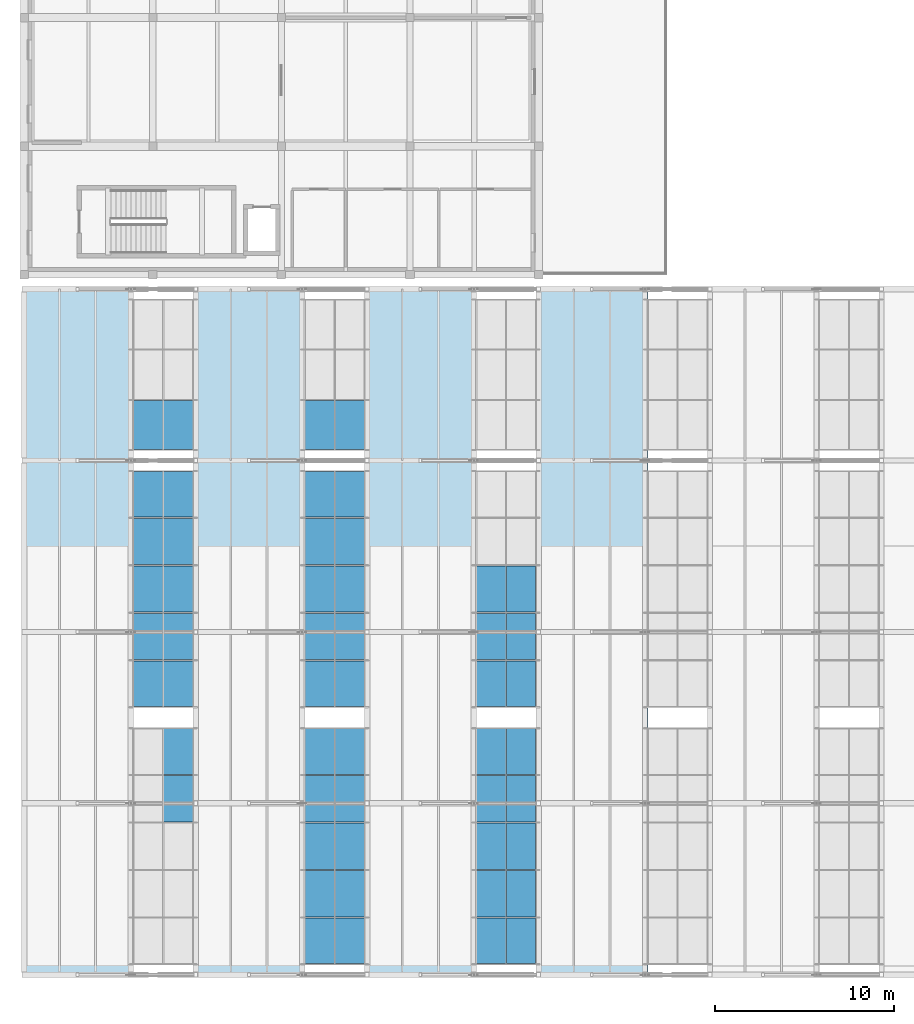
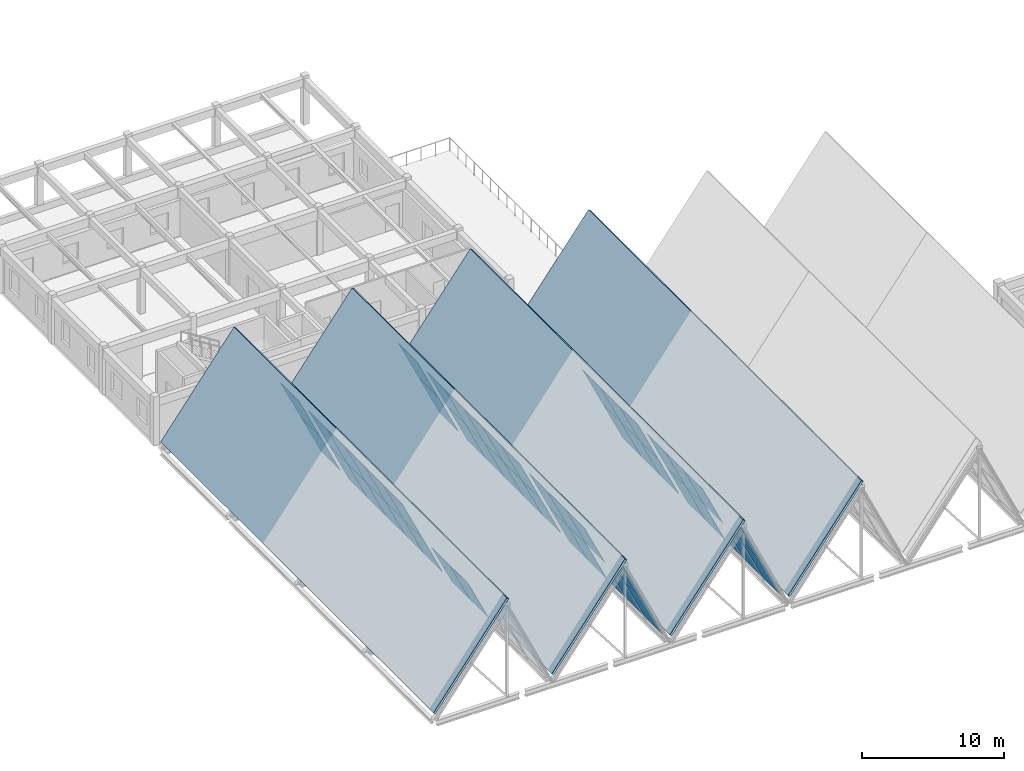
# One storey, part 64 of 99: 52 plates, 4 slabs, 8 elements without a shape of their own.
"""IFC4 building model written with IfcOpenShell, lengths in metres."""

from ifc_helpers import new_model, si_unit, direction, frame, origin, place, context, subcontext, project, spatial, polyline, outline, extrude, material, layer, layer_set, type_object, element, aggregate, save


model = new_model("IFC4")

# Units and contexts
model_context = context("Model", 3, precision=1e-05, world=origin(), true_north=direction((0.0, 1.0)))
body_context = subcontext(model_context, "Body", "Model", "MODEL_VIEW")
ifc_project = project(units=[si_unit("LENGTHUNIT", "METRE"), si_unit("AREAUNIT", "SQUARE_METRE"), si_unit("VOLUMEUNIT", "CUBIC_METRE"), si_unit("PLANEANGLEUNIT", "RADIAN"), si_unit("MASSUNIT", "GRAM", prefix="KILO")], contexts=[model_context])

# Site, building, storey
site_placement = place(None, origin())
site = spatial("IfcSite", under=ifc_project, at=site_placement, CompositionType="ELEMENT")
building_placement = place(site_placement, origin())
building = spatial("IfcBuilding", under=site, at=building_placement, Name="Bramveld Media Centre", CompositionType="ELEMENT")
storey_placement = place(building_placement, frame((0.0, 0.0, 13.800048828125)))
storey = spatial("IfcBuildingStorey", under=building, at=storey_placement, Name="L03", CompositionType="ELEMENT", Elevation=13.800048828125)

# Curtain wall, plates
ifc_material_1 = material(Name="Thermally broken anodized bronze aluminium unitized curtain wall with solar-control triple glazing", Category="aluminium")
curtain_wall_type_1 = type_object("IfcCurtainWallType", Name="CW-SAW-13300x8606", PredefinedType="NOTDEFINED", material=ifc_material_1)
curtain_wall_1_placement = place(storey_placement, origin())
curtain_wall_1 = element("IfcCurtainWall", 1, at=curtain_wall_1_placement, inside=storey, type_object=curtain_wall_type_1, Name="V2 sawtooth north-light clerestory B1-S1", PredefinedType="NOTDEFINED")
ifc_material_2 = material(Name="Solar-control triple insulating safety glass unit", Category="glass")
ifc_layer_1 = layer(ifc_material_2, 0.028076171875)
ifc_layer_set_1 = layer_set([ifc_layer_1], Name="Solar-control triple insulating safety glass unit")
plate_type = type_object("IfcPlateType", Name="CW-PAN-SLP", PredefinedType="CURTAIN_PANEL", material=ifc_layer_set_1)
plate_1_placement = place(storey_placement, frame((9.439697265625, 8.56494140625, 0.322509765625), z_axis=(0.9056675867, 0.0, 0.423988469657), x_axis=(0.0, 1.0, 0.0)))
plate_1 = element("IfcPlate", 2, at=plate_1_placement, type_object=plate_type, Name="CW-SA-13386 glass panel 4.1", PredefinedType="CURTAIN_PANEL", context=body_context, shape_type="SweptSolid", body=[
    extrude(outline(polyline([(0.0, 0.0), (2.590087890625, 0.0), (2.590087890625, 3.876413641227611), (0.0, 3.876413641227611), (0.0, 0.0)])), origin(), (0.0, 0.0, -1.0), 0.028076171875),
])
plate_2_placement = place(storey_placement, frame((9.439697265625, 11.22509765625, 0.322509765625), z_axis=(0.9056675867, 0.0, 0.423988469657), x_axis=(0.0, 1.0, 0.0)))
plate_2 = element("IfcPlate", 3, at=plate_2_placement, type_object=plate_type, Name="CW-SA-13386 glass panel 5.1", PredefinedType="CURTAIN_PANEL", context=body_context, shape_type="SweptSolid", body=[
    extrude(outline(polyline([(0.0, 0.0), (2.554931640625, 0.0), (2.554931640625, 3.8764136412276113), (0.0, 3.8764136412276113), (0.0, 0.0)])), origin(), (0.0, 0.0, -1.0), 0.028076171875),
])
aggregate(curtain_wall_1, [plate_1, plate_2])

curtain_wall_2_placement = place(storey_placement, origin())
curtain_wall_2 = element("IfcCurtainWall", 4, at=curtain_wall_2_placement, inside=storey, type_object=curtain_wall_type_1, Name="V2 sawtooth north-light clerestory B1-S2", PredefinedType="NOTDEFINED")
plate_3_placement = place(storey_placement, frame((9.439697265625, 15.02001953125, 0.322509765625), z_axis=(0.9056675867, 0.0, 0.423988469657), x_axis=(0.0, 1.0, 0.0)))
plate_3 = element("IfcPlate", 5, at=plate_3_placement, type_object=plate_type, Name="CW-SA-13386 glass panel 1.1", PredefinedType="CURTAIN_PANEL", context=body_context, shape_type="SweptSolid", body=[
    extrude(outline(polyline([(0.0, 0.0), (2.554931640625, 0.0), (2.554931640625, 3.8764136412276113), (0.0, 3.8764136412276113), (0.0, 0.0)])), origin(), (0.0, 0.0, -1.0), 0.028076171875),
])
plate_4_placement = place(storey_placement, frame((7.7666015625, 15.02001953125, 3.896728515625), z_axis=(0.9056675867, 0.0, 0.423988469657), x_axis=(0.0, 1.0, 0.0)))
plate_4 = element("IfcPlate", 6, at=plate_4_placement, type_object=plate_type, Name="CW-SA-13386 glass panel 1.2", PredefinedType="CURTAIN_PANEL", context=body_context, shape_type="SweptSolid", body=[
    extrude(outline(polyline([(0.0, 0.0), (2.554931640625, 0.0), (2.554931640625, 3.8764136412276113), (0.0, 3.8764136412276113), (0.0, 0.0)])), origin(), (0.0, 0.0, -1.0), 0.028076171875),
])
plate_5_placement = place(storey_placement, frame((9.439697265625, 17.64501953125, 0.322509765625), z_axis=(0.9056675867, 0.0, 0.423988469657), x_axis=(0.0, 1.0, 0.0)))
plate_5 = element("IfcPlate", 7, at=plate_5_placement, type_object=plate_type, Name="CW-SA-13386 glass panel 2.1", PredefinedType="CURTAIN_PANEL", context=body_context, shape_type="SweptSolid", body=[
    extrude(outline(polyline([(0.0, 0.0), (2.590087890625, 0.0), (2.590087890625, 3.876413641227611), (0.0, 3.876413641227611), (0.0, 0.0)])), origin(), (0.0, 0.0, -1.0), 0.028076171875),
])
plate_6_placement = place(storey_placement, frame((7.7666015625, 17.64501953125, 3.896728515625), z_axis=(0.9056675867, 0.0, 0.423988469657), x_axis=(0.0, 1.0, 0.0)))
plate_6 = element("IfcPlate", 8, at=plate_6_placement, type_object=plate_type, Name="CW-SA-13386 glass panel 2.2", PredefinedType="CURTAIN_PANEL", context=body_context, shape_type="SweptSolid", body=[
    extrude(outline(polyline([(0.0, 0.0), (2.590087890625, 0.0), (2.590087890625, 3.876413641227611), (0.0, 3.876413641227611), (0.0, 0.0)])), origin(), (0.0, 0.0, -1.0), 0.028076171875),
])
plate_7_placement = place(storey_placement, frame((9.439697265625, 20.304931640625, 0.322509765625), z_axis=(0.9056675867, 0.0, 0.423988469657), x_axis=(0.0, 1.0, 0.0)))
plate_7 = element("IfcPlate", 9, at=plate_7_placement, type_object=plate_type, Name="CW-SA-13386 glass panel 3.1", PredefinedType="CURTAIN_PANEL", context=body_context, shape_type="SweptSolid", body=[
    extrude(outline(polyline([(0.0, 0.0), (2.590087890625, 0.0), (2.590087890625, 3.876413641227611), (0.0, 3.876413641227611), (0.0, 0.0)])), origin(), (0.0, 0.0, -1.0), 0.028076171875),
])
plate_8_placement = place(storey_placement, frame((7.7666015625, 20.304931640625, 3.896728515625), z_axis=(0.9056675867, 0.0, 0.423988469657), x_axis=(0.0, 1.0, 0.0)))
plate_8 = element("IfcPlate", 10, at=plate_8_placement, type_object=plate_type, Name="CW-SA-13386 glass panel 3.2", PredefinedType="CURTAIN_PANEL", context=body_context, shape_type="SweptSolid", body=[
    extrude(outline(polyline([(0.0, 0.0), (2.590087890625, 0.0), (2.590087890625, 3.876413641227611), (0.0, 3.876413641227611), (0.0, 0.0)])), origin(), (0.0, 0.0, -1.0), 0.028076171875),
])
plate_9_placement = place(storey_placement, frame((9.439697265625, 22.965087890625, 0.322509765625), z_axis=(0.9056675867, 0.0, 0.423988469657), x_axis=(0.0, 1.0, 0.0)))
plate_9 = element("IfcPlate", 11, at=plate_9_placement, type_object=plate_type, Name="CW-SA-13386 glass panel 4.1", PredefinedType="CURTAIN_PANEL", context=body_context, shape_type="SweptSolid", body=[
    extrude(outline(polyline([(0.0, 0.0), (2.58984375, 0.0), (2.58984375, 3.876413641227611), (0.0, 3.876413641227611), (0.0, 0.0)])), origin(), (0.0, 0.0, -1.0), 0.028076171875),
])
plate_10_placement = place(storey_placement, frame((7.7666015625, 22.965087890625, 3.896728515625), z_axis=(0.9056675867, 0.0, 0.423988469657), x_axis=(0.0, 1.0, 0.0)))
plate_10 = element("IfcPlate", 12, at=plate_10_placement, type_object=plate_type, Name="CW-SA-13386 glass panel 4.2", PredefinedType="CURTAIN_PANEL", context=body_context, shape_type="SweptSolid", body=[
    extrude(outline(polyline([(0.0, 0.0), (2.58984375, 0.0), (2.58984375, 3.876413641227611), (0.0, 3.876413641227611), (0.0, 0.0)])), origin(), (0.0, 0.0, -1.0), 0.028076171875),
])
plate_11_placement = place(storey_placement, frame((9.439697265625, 25.625, 0.322509765625), z_axis=(0.9056675867, 0.0, 0.423988469657), x_axis=(0.0, 1.0, 0.0)))
plate_11 = element("IfcPlate", 13, at=plate_11_placement, type_object=plate_type, Name="CW-SA-13386 glass panel 5.1", PredefinedType="CURTAIN_PANEL", context=body_context, shape_type="SweptSolid", body=[
    extrude(outline(polyline([(0.0, 0.0), (2.554931640625, 0.0), (2.554931640625, 3.8764136412276113), (0.0, 3.8764136412276113), (0.0, 0.0)])), origin(), (0.0, 0.0, -1.0), 0.028076171875),
])
plate_12_placement = place(storey_placement, frame((7.7666015625, 25.625, 3.896728515625), z_axis=(0.9056675867, 0.0, 0.423988469657), x_axis=(0.0, 1.0, 0.0)))
plate_12 = element("IfcPlate", 14, at=plate_12_placement, type_object=plate_type, Name="CW-SA-13386 glass panel 5.2", PredefinedType="CURTAIN_PANEL", context=body_context, shape_type="SweptSolid", body=[
    extrude(outline(polyline([(0.0, 0.0), (2.554931640625, 0.0), (2.554931640625, 3.8764136412276113), (0.0, 3.8764136412276113), (0.0, 0.0)])), origin(), (0.0, 0.0, -1.0), 0.028076171875),
])
aggregate(curtain_wall_2, [plate_3, plate_4, plate_5, plate_6, plate_7, plate_8, plate_9, plate_10, plate_11, plate_12])

ifc_material_3 = material(Name="Thermally broken anodized bronze aluminium unitized curtain wall with solar-control triple glazing", Category="aluminium")
curtain_wall_type_2 = type_object("IfcCurtainWallType", Name="CW-SAW-8500x8606", PredefinedType="NOTDEFINED", material=ifc_material_3)
curtain_wall_3_placement = place(storey_placement, origin())
curtain_wall_3 = element("IfcCurtainWall", 15, at=curtain_wall_3_placement, inside=storey, type_object=curtain_wall_type_2, Name="V2 sawtooth north-light clerestory B1-S3", PredefinedType="NOTDEFINED")
plate_13_placement = place(storey_placement, frame((9.439697265625, 29.419921875, 0.322509765625), z_axis=(0.9056675867, 0.0, 0.423988469657), x_axis=(0.0, 1.0, 0.0)))
plate_13 = element("IfcPlate", 16, at=plate_13_placement, type_object=plate_type, Name="CW-SA-8586 glass panel 1.1", PredefinedType="CURTAIN_PANEL", context=body_context, shape_type="SweptSolid", body=[
    extrude(outline(polyline([(0.0, 0.0), (2.728271484375, 0.0), (2.728271484375, 3.8764136412276113), (0.0, 3.8764136412276113), (0.0, 0.0)])), origin(), (0.0, 0.0, -1.0), 0.028076171875),
])
plate_14_placement = place(storey_placement, frame((7.7666015625, 29.419921875, 3.896728515625), z_axis=(0.9056675867, 0.0, 0.423988469657), x_axis=(0.0, 1.0, 0.0)))
plate_14 = element("IfcPlate", 17, at=plate_14_placement, type_object=plate_type, Name="CW-SA-8586 glass panel 1.2", PredefinedType="CURTAIN_PANEL", context=body_context, shape_type="SweptSolid", body=[
    extrude(outline(polyline([(0.0, 0.0), (2.728271484375, 0.0), (2.728271484375, 3.8764136412276113), (0.0, 3.8764136412276113), (0.0, 0.0)])), origin(), (0.0, 0.0, -1.0), 0.028076171875),
])
aggregate(curtain_wall_3, [plate_13, plate_14])

curtain_wall_4_placement = place(storey_placement, origin())
curtain_wall_4 = element("IfcCurtainWall", 18, at=curtain_wall_4_placement, inside=storey, type_object=curtain_wall_type_1, Name="V2 sawtooth north-light clerestory B2-S1", PredefinedType="NOTDEFINED")
plate_15_placement = place(storey_placement, frame((19.039794921875, 0.6201171875, 0.322509765625), z_axis=(0.9056675867, 0.0, 0.423988469657), x_axis=(0.0, 1.0, 0.0)))
plate_15 = element("IfcPlate", 19, at=plate_15_placement, type_object=plate_type, Name="CW-SA-13386 glass panel 1.1", PredefinedType="CURTAIN_PANEL", context=body_context, shape_type="SweptSolid", body=[
    extrude(outline(polyline([(0.0, 0.0), (2.554931640625, 0.0), (2.554931640625, 3.8764136412276113), (0.0, 3.8764136412276113), (0.0, 0.0)])), origin(), (0.0, 0.0, -1.0), 0.028076171875),
])
plate_16_placement = place(storey_placement, frame((17.36669921875, 0.6201171875, 3.896728515625), z_axis=(0.9056675867, 0.0, 0.423988469657), x_axis=(0.0, 1.0, 0.0)))
plate_16 = element("IfcPlate", 20, at=plate_16_placement, type_object=plate_type, Name="CW-SA-13386 glass panel 1.2", PredefinedType="CURTAIN_PANEL", context=body_context, shape_type="SweptSolid", body=[
    extrude(outline(polyline([(0.0, 0.0), (2.554931640625, 0.0), (2.554931640625, 3.8764136412276113), (0.0, 3.8764136412276113), (0.0, 0.0)])), origin(), (0.0, 0.0, -1.0), 0.028076171875),
])
plate_17_placement = place(storey_placement, frame((19.039794921875, 3.2451171875, 0.322509765625), z_axis=(0.9056675867, 0.0, 0.423988469657), x_axis=(0.0, 1.0, 0.0)))
plate_17 = element("IfcPlate", 21, at=plate_17_placement, type_object=plate_type, Name="CW-SA-13386 glass panel 2.1", PredefinedType="CURTAIN_PANEL", context=body_context, shape_type="SweptSolid", body=[
    extrude(outline(polyline([(0.0, 0.0), (2.58984375, 0.0), (2.58984375, 3.876413641227611), (0.0, 3.876413641227611), (0.0, 0.0)])), origin(), (0.0, 0.0, -1.0), 0.028076171875),
])
plate_18_placement = place(storey_placement, frame((17.36669921875, 3.2451171875, 3.896728515625), z_axis=(0.9056675867, 0.0, 0.423988469657), x_axis=(0.0, 1.0, 0.0)))
plate_18 = element("IfcPlate", 22, at=plate_18_placement, type_object=plate_type, Name="CW-SA-13386 glass panel 2.2", PredefinedType="CURTAIN_PANEL", context=body_context, shape_type="SweptSolid", body=[
    extrude(outline(polyline([(0.0, 0.0), (2.58984375, 0.0), (2.58984375, 3.876413641227611), (0.0, 3.876413641227611), (0.0, 0.0)])), origin(), (0.0, 0.0, -1.0), 0.028076171875),
])
plate_19_placement = place(storey_placement, frame((19.039794921875, 5.905029296875, 0.322509765625), z_axis=(0.9056675867, 0.0, 0.423988469657), x_axis=(0.0, 1.0, 0.0)))
plate_19 = element("IfcPlate", 23, at=plate_19_placement, type_object=plate_type, Name="CW-SA-13386 glass panel 3.1", PredefinedType="CURTAIN_PANEL", context=body_context, shape_type="SweptSolid", body=[
    extrude(outline(polyline([(0.0, 0.0), (2.590087890625, 0.0), (2.590087890625, 3.876413641227611), (0.0, 3.876413641227611), (0.0, 0.0)])), origin(), (0.0, 0.0, -1.0), 0.028076171875),
])
plate_20_placement = place(storey_placement, frame((17.36669921875, 5.905029296875, 3.896728515625), z_axis=(0.9056675867, 0.0, 0.423988469657), x_axis=(0.0, 1.0, 0.0)))
plate_20 = element("IfcPlate", 24, at=plate_20_placement, type_object=plate_type, Name="CW-SA-13386 glass panel 3.2", PredefinedType="CURTAIN_PANEL", context=body_context, shape_type="SweptSolid", body=[
    extrude(outline(polyline([(0.0, 0.0), (2.590087890625, 0.0), (2.590087890625, 3.876413641227611), (0.0, 3.876413641227611), (0.0, 0.0)])), origin(), (0.0, 0.0, -1.0), 0.028076171875),
])
plate_21_placement = place(storey_placement, frame((19.039794921875, 8.56494140625, 0.322509765625), z_axis=(0.9056675867, 0.0, 0.423988469657), x_axis=(0.0, 1.0, 0.0)))
plate_21 = element("IfcPlate", 25, at=plate_21_placement, type_object=plate_type, Name="CW-SA-13386 glass panel 4.1", PredefinedType="CURTAIN_PANEL", context=body_context, shape_type="SweptSolid", body=[
    extrude(outline(polyline([(0.0, 0.0), (2.590087890625, 0.0), (2.590087890625, 3.876413641227611), (0.0, 3.876413641227611), (0.0, 0.0)])), origin(), (0.0, 0.0, -1.0), 0.028076171875),
])
plate_22_placement = place(storey_placement, frame((17.36669921875, 8.56494140625, 3.896728515625), z_axis=(0.9056675867, 0.0, 0.423988469657), x_axis=(0.0, 1.0, 0.0)))
plate_22 = element("IfcPlate", 26, at=plate_22_placement, type_object=plate_type, Name="CW-SA-13386 glass panel 4.2", PredefinedType="CURTAIN_PANEL", context=body_context, shape_type="SweptSolid", body=[
    extrude(outline(polyline([(0.0, 0.0), (2.590087890625, 0.0), (2.590087890625, 3.876413641227611), (0.0, 3.876413641227611), (0.0, 0.0)])), origin(), (0.0, 0.0, -1.0), 0.028076171875),
])
plate_23_placement = place(storey_placement, frame((19.039794921875, 11.22509765625, 0.322509765625), z_axis=(0.9056675867, 0.0, 0.423988469657), x_axis=(0.0, 1.0, 0.0)))
plate_23 = element("IfcPlate", 27, at=plate_23_placement, type_object=plate_type, Name="CW-SA-13386 glass panel 5.1", PredefinedType="CURTAIN_PANEL", context=body_context, shape_type="SweptSolid", body=[
    extrude(outline(polyline([(0.0, 0.0), (2.554931640625, 0.0), (2.554931640625, 3.8764136412276113), (0.0, 3.8764136412276113), (0.0, 0.0)])), origin(), (0.0, 0.0, -1.0), 0.028076171875),
])
plate_24_placement = place(storey_placement, frame((17.36669921875, 11.22509765625, 3.896728515625), z_axis=(0.9056675867, 0.0, 0.423988469657), x_axis=(0.0, 1.0, 0.0)))
plate_24 = element("IfcPlate", 28, at=plate_24_placement, type_object=plate_type, Name="CW-SA-13386 glass panel 5.2", PredefinedType="CURTAIN_PANEL", context=body_context, shape_type="SweptSolid", body=[
    extrude(outline(polyline([(0.0, 0.0), (2.554931640625, 0.0), (2.554931640625, 3.8764136412276113), (0.0, 3.8764136412276113), (0.0, 0.0)])), origin(), (0.0, 0.0, -1.0), 0.028076171875),
])
aggregate(curtain_wall_4, [plate_15, plate_16, plate_17, plate_18, plate_19, plate_20, plate_21, plate_22, plate_23, plate_24])

curtain_wall_5_placement = place(storey_placement, origin())
curtain_wall_5 = element("IfcCurtainWall", 29, at=curtain_wall_5_placement, inside=storey, type_object=curtain_wall_type_1, Name="V2 sawtooth north-light clerestory B2-S2", PredefinedType="NOTDEFINED")
plate_25_placement = place(storey_placement, frame((19.039794921875, 15.02001953125, 0.322509765625), z_axis=(0.9056675867, 0.0, 0.423988469657), x_axis=(0.0, 1.0, 0.0)))
plate_25 = element("IfcPlate", 30, at=plate_25_placement, type_object=plate_type, Name="CW-SA-13386 glass panel 1.1", PredefinedType="CURTAIN_PANEL", context=body_context, shape_type="SweptSolid", body=[
    extrude(outline(polyline([(0.0, 0.0), (2.554931640625, 0.0), (2.554931640625, 3.8764136412276113), (0.0, 3.8764136412276113), (0.0, 0.0)])), origin(), (0.0, 0.0, -1.0), 0.028076171875),
])
plate_26_placement = place(storey_placement, frame((17.36669921875, 15.02001953125, 3.896728515625), z_axis=(0.9056675867, 0.0, 0.423988469657), x_axis=(0.0, 1.0, 0.0)))
plate_26 = element("IfcPlate", 31, at=plate_26_placement, type_object=plate_type, Name="CW-SA-13386 glass panel 1.2", PredefinedType="CURTAIN_PANEL", context=body_context, shape_type="SweptSolid", body=[
    extrude(outline(polyline([(0.0, 0.0), (2.554931640625, 0.0), (2.554931640625, 3.8764136412276113), (0.0, 3.8764136412276113), (0.0, 0.0)])), origin(), (0.0, 0.0, -1.0), 0.028076171875),
])
plate_27_placement = place(storey_placement, frame((19.039794921875, 17.64501953125, 0.322509765625), z_axis=(0.9056675867, 0.0, 0.423988469657), x_axis=(0.0, 1.0, 0.0)))
plate_27 = element("IfcPlate", 32, at=plate_27_placement, type_object=plate_type, Name="CW-SA-13386 glass panel 2.1", PredefinedType="CURTAIN_PANEL", context=body_context, shape_type="SweptSolid", body=[
    extrude(outline(polyline([(0.0, 0.0), (2.590087890625, 0.0), (2.590087890625, 3.876413641227611), (0.0, 3.876413641227611), (0.0, 0.0)])), origin(), (0.0, 0.0, -1.0), 0.028076171875),
])
plate_28_placement = place(storey_placement, frame((17.36669921875, 17.64501953125, 3.896728515625), z_axis=(0.9056675867, 0.0, 0.423988469657), x_axis=(0.0, 1.0, 0.0)))
plate_28 = element("IfcPlate", 33, at=plate_28_placement, type_object=plate_type, Name="CW-SA-13386 glass panel 2.2", PredefinedType="CURTAIN_PANEL", context=body_context, shape_type="SweptSolid", body=[
    extrude(outline(polyline([(0.0, 0.0), (2.590087890625, 0.0), (2.590087890625, 3.876413641227611), (0.0, 3.876413641227611), (0.0, 0.0)])), origin(), (0.0, 0.0, -1.0), 0.028076171875),
])
plate_29_placement = place(storey_placement, frame((19.039794921875, 20.304931640625, 0.322509765625), z_axis=(0.9056675867, 0.0, 0.423988469657), x_axis=(0.0, 1.0, 0.0)))
plate_29 = element("IfcPlate", 34, at=plate_29_placement, type_object=plate_type, Name="CW-SA-13386 glass panel 3.1", PredefinedType="CURTAIN_PANEL", context=body_context, shape_type="SweptSolid", body=[
    extrude(outline(polyline([(0.0, 0.0), (2.590087890625, 0.0), (2.590087890625, 3.876413641227611), (0.0, 3.876413641227611), (0.0, 0.0)])), origin(), (0.0, 0.0, -1.0), 0.028076171875),
])
plate_30_placement = place(storey_placement, frame((17.36669921875, 20.304931640625, 3.896728515625), z_axis=(0.9056675867, 0.0, 0.423988469657), x_axis=(0.0, 1.0, 0.0)))
plate_30 = element("IfcPlate", 35, at=plate_30_placement, type_object=plate_type, Name="CW-SA-13386 glass panel 3.2", PredefinedType="CURTAIN_PANEL", context=body_context, shape_type="SweptSolid", body=[
    extrude(outline(polyline([(0.0, 0.0), (2.590087890625, 0.0), (2.590087890625, 3.876413641227611), (0.0, 3.876413641227611), (0.0, 0.0)])), origin(), (0.0, 0.0, -1.0), 0.028076171875),
])
plate_31_placement = place(storey_placement, frame((19.039794921875, 22.965087890625, 0.322509765625), z_axis=(0.9056675867, 0.0, 0.423988469657), x_axis=(0.0, 1.0, 0.0)))
plate_31 = element("IfcPlate", 36, at=plate_31_placement, type_object=plate_type, Name="CW-SA-13386 glass panel 4.1", PredefinedType="CURTAIN_PANEL", context=body_context, shape_type="SweptSolid", body=[
    extrude(outline(polyline([(0.0, 0.0), (2.58984375, 0.0), (2.58984375, 3.876413641227611), (0.0, 3.876413641227611), (0.0, 0.0)])), origin(), (0.0, 0.0, -1.0), 0.028076171875),
])
plate_32_placement = place(storey_placement, frame((17.36669921875, 22.965087890625, 3.896728515625), z_axis=(0.9056675867, 0.0, 0.423988469657), x_axis=(0.0, 1.0, 0.0)))
plate_32 = element("IfcPlate", 37, at=plate_32_placement, type_object=plate_type, Name="CW-SA-13386 glass panel 4.2", PredefinedType="CURTAIN_PANEL", context=body_context, shape_type="SweptSolid", body=[
    extrude(outline(polyline([(0.0, 0.0), (2.58984375, 0.0), (2.58984375, 3.876413641227611), (0.0, 3.876413641227611), (0.0, 0.0)])), origin(), (0.0, 0.0, -1.0), 0.028076171875),
])
plate_33_placement = place(storey_placement, frame((19.039794921875, 25.625, 0.322509765625), z_axis=(0.9056675867, 0.0, 0.423988469657), x_axis=(0.0, 1.0, 0.0)))
plate_33 = element("IfcPlate", 38, at=plate_33_placement, type_object=plate_type, Name="CW-SA-13386 glass panel 5.1", PredefinedType="CURTAIN_PANEL", context=body_context, shape_type="SweptSolid", body=[
    extrude(outline(polyline([(0.0, 0.0), (2.554931640625, 0.0), (2.554931640625, 3.8764136412276113), (0.0, 3.8764136412276113), (0.0, 0.0)])), origin(), (0.0, 0.0, -1.0), 0.028076171875),
])
plate_34_placement = place(storey_placement, frame((17.36669921875, 25.625, 3.896728515625), z_axis=(0.9056675867, 0.0, 0.423988469657), x_axis=(0.0, 1.0, 0.0)))
plate_34 = element("IfcPlate", 39, at=plate_34_placement, type_object=plate_type, Name="CW-SA-13386 glass panel 5.2", PredefinedType="CURTAIN_PANEL", context=body_context, shape_type="SweptSolid", body=[
    extrude(outline(polyline([(0.0, 0.0), (2.554931640625, 0.0), (2.554931640625, 3.8764136412276113), (0.0, 3.8764136412276113), (0.0, 0.0)])), origin(), (0.0, 0.0, -1.0), 0.028076171875),
])
aggregate(curtain_wall_5, [plate_25, plate_26, plate_27, plate_28, plate_29, plate_30, plate_31, plate_32, plate_33, plate_34])

curtain_wall_6_placement = place(storey_placement, origin())
curtain_wall_6 = element("IfcCurtainWall", 40, at=curtain_wall_6_placement, inside=storey, type_object=curtain_wall_type_2, Name="V2 sawtooth north-light clerestory B2-S3", PredefinedType="NOTDEFINED")
plate_35_placement = place(storey_placement, frame((19.039794921875, 29.419921875, 0.322509765625), z_axis=(0.9056675867, 0.0, 0.423988469657), x_axis=(0.0, 1.0, 0.0)))
plate_35 = element("IfcPlate", 41, at=plate_35_placement, type_object=plate_type, Name="CW-SA-8586 glass panel 1.1", PredefinedType="CURTAIN_PANEL", context=body_context, shape_type="SweptSolid", body=[
    extrude(outline(polyline([(0.0, 0.0), (2.728271484375, 0.0), (2.728271484375, 3.8764136412276113), (0.0, 3.8764136412276113), (0.0, 0.0)])), origin(), (0.0, 0.0, -1.0), 0.028076171875),
])
plate_36_placement = place(storey_placement, frame((17.36669921875, 29.419921875, 3.896728515625), z_axis=(0.9056675867, 0.0, 0.423988469657), x_axis=(0.0, 1.0, 0.0)))
plate_36 = element("IfcPlate", 42, at=plate_36_placement, type_object=plate_type, Name="CW-SA-8586 glass panel 1.2", PredefinedType="CURTAIN_PANEL", context=body_context, shape_type="SweptSolid", body=[
    extrude(outline(polyline([(0.0, 0.0), (2.728271484375, 0.0), (2.728271484375, 3.8764136412276113), (0.0, 3.8764136412276113), (0.0, 0.0)])), origin(), (0.0, 0.0, -1.0), 0.028076171875),
])
aggregate(curtain_wall_6, [plate_35, plate_36])

curtain_wall_7_placement = place(storey_placement, origin())
curtain_wall_7 = element("IfcCurtainWall", 43, at=curtain_wall_7_placement, inside=storey, type_object=curtain_wall_type_1, Name="V2 sawtooth north-light clerestory B3-S1", PredefinedType="NOTDEFINED")
plate_37_placement = place(storey_placement, frame((28.6396484375, 0.6201171875, 0.322509765625), z_axis=(0.9056675867, 0.0, 0.423988469657), x_axis=(0.0, 1.0, 0.0)))
plate_37 = element("IfcPlate", 44, at=plate_37_placement, type_object=plate_type, Name="CW-SA-13386 glass panel 1.1", PredefinedType="CURTAIN_PANEL", context=body_context, shape_type="SweptSolid", body=[
    extrude(outline(polyline([(0.0, 0.0), (2.554931640625, 0.0), (2.554931640625, 3.8764136412276113), (0.0, 3.8764136412276113), (0.0, 0.0)])), origin(), (0.0, 0.0, -1.0), 0.028076171875),
])
plate_38_placement = place(storey_placement, frame((26.966552734375, 0.6201171875, 3.896728515625), z_axis=(0.9056675867, 0.0, 0.423988469657), x_axis=(0.0, 1.0, 0.0)))
plate_38 = element("IfcPlate", 45, at=plate_38_placement, type_object=plate_type, Name="CW-SA-13386 glass panel 1.2", PredefinedType="CURTAIN_PANEL", context=body_context, shape_type="SweptSolid", body=[
    extrude(outline(polyline([(0.0, 0.0), (2.554931640625, 0.0), (2.554931640625, 3.8764136412276113), (0.0, 3.8764136412276113), (0.0, 0.0)])), origin(), (0.0, 0.0, -1.0), 0.028076171875),
])
plate_39_placement = place(storey_placement, frame((28.6396484375, 3.2451171875, 0.322509765625), z_axis=(0.9056675867, 0.0, 0.423988469657), x_axis=(0.0, 1.0, 0.0)))
plate_39 = element("IfcPlate", 46, at=plate_39_placement, type_object=plate_type, Name="CW-SA-13386 glass panel 2.1", PredefinedType="CURTAIN_PANEL", context=body_context, shape_type="SweptSolid", body=[
    extrude(outline(polyline([(0.0, 0.0), (2.58984375, 0.0), (2.58984375, 3.876413641227611), (0.0, 3.876413641227611), (0.0, 0.0)])), origin(), (0.0, 0.0, -1.0), 0.028076171875),
])
plate_40_placement = place(storey_placement, frame((26.966552734375, 3.2451171875, 3.896728515625), z_axis=(0.9056675867, 0.0, 0.423988469657), x_axis=(0.0, 1.0, 0.0)))
plate_40 = element("IfcPlate", 47, at=plate_40_placement, type_object=plate_type, Name="CW-SA-13386 glass panel 2.2", PredefinedType="CURTAIN_PANEL", context=body_context, shape_type="SweptSolid", body=[
    extrude(outline(polyline([(0.0, 0.0), (2.58984375, 0.0), (2.58984375, 3.876413641227611), (0.0, 3.876413641227611), (0.0, 0.0)])), origin(), (0.0, 0.0, -1.0), 0.028076171875),
])
plate_41_placement = place(storey_placement, frame((28.6396484375, 5.905029296875, 0.322509765625), z_axis=(0.9056675867, 0.0, 0.423988469657), x_axis=(0.0, 1.0, 0.0)))
plate_41 = element("IfcPlate", 48, at=plate_41_placement, type_object=plate_type, Name="CW-SA-13386 glass panel 3.1", PredefinedType="CURTAIN_PANEL", context=body_context, shape_type="SweptSolid", body=[
    extrude(outline(polyline([(0.0, 0.0), (2.590087890625, 0.0), (2.590087890625, 3.876413641227611), (0.0, 3.876413641227611), (0.0, 0.0)])), origin(), (0.0, 0.0, -1.0), 0.028076171875),
])
plate_42_placement = place(storey_placement, frame((26.966552734375, 5.905029296875, 3.896728515625), z_axis=(0.9056675867, 0.0, 0.423988469657), x_axis=(0.0, 1.0, 0.0)))
plate_42 = element("IfcPlate", 49, at=plate_42_placement, type_object=plate_type, Name="CW-SA-13386 glass panel 3.2", PredefinedType="CURTAIN_PANEL", context=body_context, shape_type="SweptSolid", body=[
    extrude(outline(polyline([(0.0, 0.0), (2.590087890625, 0.0), (2.590087890625, 3.876413641227611), (0.0, 3.876413641227611), (0.0, 0.0)])), origin(), (0.0, 0.0, -1.0), 0.028076171875),
])
plate_43_placement = place(storey_placement, frame((28.6396484375, 8.56494140625, 0.322509765625), z_axis=(0.9056675867, 0.0, 0.423988469657), x_axis=(0.0, 1.0, 0.0)))
plate_43 = element("IfcPlate", 50, at=plate_43_placement, type_object=plate_type, Name="CW-SA-13386 glass panel 4.1", PredefinedType="CURTAIN_PANEL", context=body_context, shape_type="SweptSolid", body=[
    extrude(outline(polyline([(0.0, 0.0), (2.590087890625, 0.0), (2.590087890625, 3.876413641227611), (0.0, 3.876413641227611), (0.0, 0.0)])), origin(), (0.0, 0.0, -1.0), 0.028076171875),
])
plate_44_placement = place(storey_placement, frame((26.966552734375, 8.56494140625, 3.896728515625), z_axis=(0.9056675867, 0.0, 0.423988469657), x_axis=(0.0, 1.0, 0.0)))
plate_44 = element("IfcPlate", 51, at=plate_44_placement, type_object=plate_type, Name="CW-SA-13386 glass panel 4.2", PredefinedType="CURTAIN_PANEL", context=body_context, shape_type="SweptSolid", body=[
    extrude(outline(polyline([(0.0, 0.0), (2.590087890625, 0.0), (2.590087890625, 3.876413641227611), (0.0, 3.876413641227611), (0.0, 0.0)])), origin(), (0.0, 0.0, -1.0), 0.028076171875),
])
plate_45_placement = place(storey_placement, frame((28.6396484375, 11.22509765625, 0.322509765625), z_axis=(0.9056675867, 0.0, 0.423988469657), x_axis=(0.0, 1.0, 0.0)))
plate_45 = element("IfcPlate", 52, at=plate_45_placement, type_object=plate_type, Name="CW-SA-13386 glass panel 5.1", PredefinedType="CURTAIN_PANEL", context=body_context, shape_type="SweptSolid", body=[
    extrude(outline(polyline([(0.0, 0.0), (2.554931640625, 0.0), (2.554931640625, 3.8764136412276113), (0.0, 3.8764136412276113), (0.0, 0.0)])), origin(), (0.0, 0.0, -1.0), 0.028076171875),
])
plate_46_placement = place(storey_placement, frame((26.966552734375, 11.22509765625, 3.896728515625), z_axis=(0.9056675867, 0.0, 0.423988469657), x_axis=(0.0, 1.0, 0.0)))
plate_46 = element("IfcPlate", 53, at=plate_46_placement, type_object=plate_type, Name="CW-SA-13386 glass panel 5.2", PredefinedType="CURTAIN_PANEL", context=body_context, shape_type="SweptSolid", body=[
    extrude(outline(polyline([(0.0, 0.0), (2.554931640625, 0.0), (2.554931640625, 3.8764136412276113), (0.0, 3.8764136412276113), (0.0, 0.0)])), origin(), (0.0, 0.0, -1.0), 0.028076171875),
])
aggregate(curtain_wall_7, [plate_37, plate_38, plate_39, plate_40, plate_41, plate_42, plate_43, plate_44, plate_45, plate_46])

curtain_wall_8_placement = place(storey_placement, origin())
curtain_wall_8 = element("IfcCurtainWall", 54, at=curtain_wall_8_placement, inside=storey, type_object=curtain_wall_type_1, Name="V2 sawtooth north-light clerestory B3-S2", PredefinedType="NOTDEFINED")
plate_47_placement = place(storey_placement, frame((28.6396484375, 15.02001953125, 0.322509765625), z_axis=(0.9056675867, 0.0, 0.423988469657), x_axis=(0.0, 1.0, 0.0)))
plate_47 = element("IfcPlate", 55, at=plate_47_placement, type_object=plate_type, Name="CW-SA-13386 glass panel 1.1", PredefinedType="CURTAIN_PANEL", context=body_context, shape_type="SweptSolid", body=[
    extrude(outline(polyline([(0.0, 0.0), (2.554931640625, 0.0), (2.554931640625, 3.8764136412276113), (0.0, 3.8764136412276113), (0.0, 0.0)])), origin(), (0.0, 0.0, -1.0), 0.028076171875),
])
plate_48_placement = place(storey_placement, frame((26.966552734375, 15.02001953125, 3.896728515625), z_axis=(0.9056675867, 0.0, 0.423988469657), x_axis=(0.0, 1.0, 0.0)))
plate_48 = element("IfcPlate", 56, at=plate_48_placement, type_object=plate_type, Name="CW-SA-13386 glass panel 1.2", PredefinedType="CURTAIN_PANEL", context=body_context, shape_type="SweptSolid", body=[
    extrude(outline(polyline([(0.0, 0.0), (2.554931640625, 0.0), (2.554931640625, 3.8764136412276113), (0.0, 3.8764136412276113), (0.0, 0.0)])), origin(), (0.0, 0.0, -1.0), 0.028076171875),
])
plate_49_placement = place(storey_placement, frame((28.6396484375, 17.64501953125, 0.322509765625), z_axis=(0.9056675867, 0.0, 0.423988469657), x_axis=(0.0, 1.0, 0.0)))
plate_49 = element("IfcPlate", 57, at=plate_49_placement, type_object=plate_type, Name="CW-SA-13386 glass panel 2.1", PredefinedType="CURTAIN_PANEL", context=body_context, shape_type="SweptSolid", body=[
    extrude(outline(polyline([(0.0, 0.0), (2.590087890625, 0.0), (2.590087890625, 3.876413641227611), (0.0, 3.876413641227611), (0.0, 0.0)])), origin(), (0.0, 0.0, -1.0), 0.028076171875),
])
plate_50_placement = place(storey_placement, frame((26.966552734375, 17.64501953125, 3.896728515625), z_axis=(0.9056675867, 0.0, 0.423988469657), x_axis=(0.0, 1.0, 0.0)))
plate_50 = element("IfcPlate", 58, at=plate_50_placement, type_object=plate_type, Name="CW-SA-13386 glass panel 2.2", PredefinedType="CURTAIN_PANEL", context=body_context, shape_type="SweptSolid", body=[
    extrude(outline(polyline([(0.0, 0.0), (2.590087890625, 0.0), (2.590087890625, 3.876413641227611), (0.0, 3.876413641227611), (0.0, 0.0)])), origin(), (0.0, 0.0, -1.0), 0.028076171875),
])
plate_51_placement = place(storey_placement, frame((28.6396484375, 20.304931640625, 0.322509765625), z_axis=(0.9056675867, 0.0, 0.423988469657), x_axis=(0.0, 1.0, 0.0)))
plate_51 = element("IfcPlate", 59, at=plate_51_placement, type_object=plate_type, Name="CW-SA-13386 glass panel 3.1", PredefinedType="CURTAIN_PANEL", context=body_context, shape_type="SweptSolid", body=[
    extrude(outline(polyline([(0.0, 0.0), (2.590087890625, 0.0), (2.590087890625, 3.876413641227611), (0.0, 3.876413641227611), (0.0, 0.0)])), origin(), (0.0, 0.0, -1.0), 0.028076171875),
])
plate_52_placement = place(storey_placement, frame((26.966552734375, 20.304931640625, 3.896728515625), z_axis=(0.9056675867, 0.0, 0.423988469657), x_axis=(0.0, 1.0, 0.0)))
plate_52 = element("IfcPlate", 60, at=plate_52_placement, type_object=plate_type, Name="CW-SA-13386 glass panel 3.2", PredefinedType="CURTAIN_PANEL", context=body_context, shape_type="SweptSolid", body=[
    extrude(outline(polyline([(0.0, 0.0), (2.590087890625, 0.0), (2.590087890625, 3.876413641227611), (0.0, 3.876413641227611), (0.0, 0.0)])), origin(), (0.0, 0.0, -1.0), 0.028076171875),
])
aggregate(curtain_wall_8, [plate_47, plate_48, plate_49, plate_50, plate_51, plate_52])

# Slabs
ifc_material_4 = material(Name="Precast concrete C40/50", Category="concrete")
ifc_layer_2 = layer(ifc_material_4, 0.2099609375)
ifc_layer_set_2 = layer_set([ifc_layer_2], Name="Precast concrete C40/50")
slab_type = type_object("IfcSlabType", Name="ROOF-SLAB-210-01", PredefinedType="ROOF", material=ifc_layer_set_2)
slab_1_placement = place(storey_placement, frame((0.0, 0.0, 0.622314453125), z_axis=(-0.794448873282, 0.0, 0.607331036372), x_axis=(0.607331036372, 0.0, 0.794448873282)))
element("IfcSlab", 61, at=slab_1_placement, inside=storey, type_object=slab_type, Name="V2 sawtooth acoustic roof slab bay 1", PredefinedType="ROOF", context=body_context, shape_type="SweptSolid", body=[
    extrude(outline(polyline([(0.0, 0.0), (9.818188546103965, 0.0), (9.818188546103965, 38.39990234375), (0.0, 38.39990234375), (0.0, 0.0)])), origin(), (0.0, 0.0, -1.0), 0.2099609375),
])
slab_2_placement = place(storey_placement, frame((9.60009765625, 0.0, 0.622314453125), z_axis=(-0.794460871067, 0.0, 0.607315341765), x_axis=(0.607315341765, 0.0, 0.794460871067)))
element("IfcSlab", 62, at=slab_2_placement, inside=storey, type_object=slab_type, Name="V2 sawtooth acoustic roof slab bay 2", PredefinedType="ROOF", context=body_context, shape_type="SweptSolid", body=[
    extrude(outline(polyline([(0.0, 0.0), (9.818040273840992, 0.0), (9.818040273840992, 38.39990234375), (0.0, 38.39990234375), (0.0, 0.0)])), origin(), (0.0, 0.0, -1.0), 0.2099609375),
])
slab_3_placement = place(storey_placement, frame((19.199951171875, 0.0, 0.622314453125), z_axis=(-0.794448873282, 0.0, 0.607331036372), x_axis=(0.607331036372, 0.0, 0.794448873282)))
element("IfcSlab", 63, at=slab_3_placement, inside=storey, type_object=slab_type, Name="V2 sawtooth acoustic roof slab bay 3", PredefinedType="ROOF", context=body_context, shape_type="SweptSolid", body=[
    extrude(outline(polyline([(0.0, 0.0), (9.818188546103965, 0.0), (9.818188546103965, 38.39990234375), (0.0, 38.39990234375), (0.0, 0.0)])), origin(), (0.0, 0.0, -1.0), 0.2099609375),
])
slab_4_placement = place(storey_placement, frame((28.800048828125, 0.0, 0.622314453125), z_axis=(-0.794460871067, 0.0, 0.607315341765), x_axis=(0.607315341765, 0.0, 0.794460871067)))
element("IfcSlab", 64, at=slab_4_placement, inside=storey, type_object=slab_type, Name="V2 sawtooth acoustic roof slab bay 4", PredefinedType="ROOF", context=body_context, shape_type="SweptSolid", body=[
    extrude(outline(polyline([(0.0, 0.0), (9.818040273840992, 0.0), (9.818040273840992, 38.39990234375), (0.0, 38.39990234375), (0.0, 0.0)])), origin(), (0.0, 0.0, -1.0), 0.2099609375),
])

save(model, "model.ifc")
